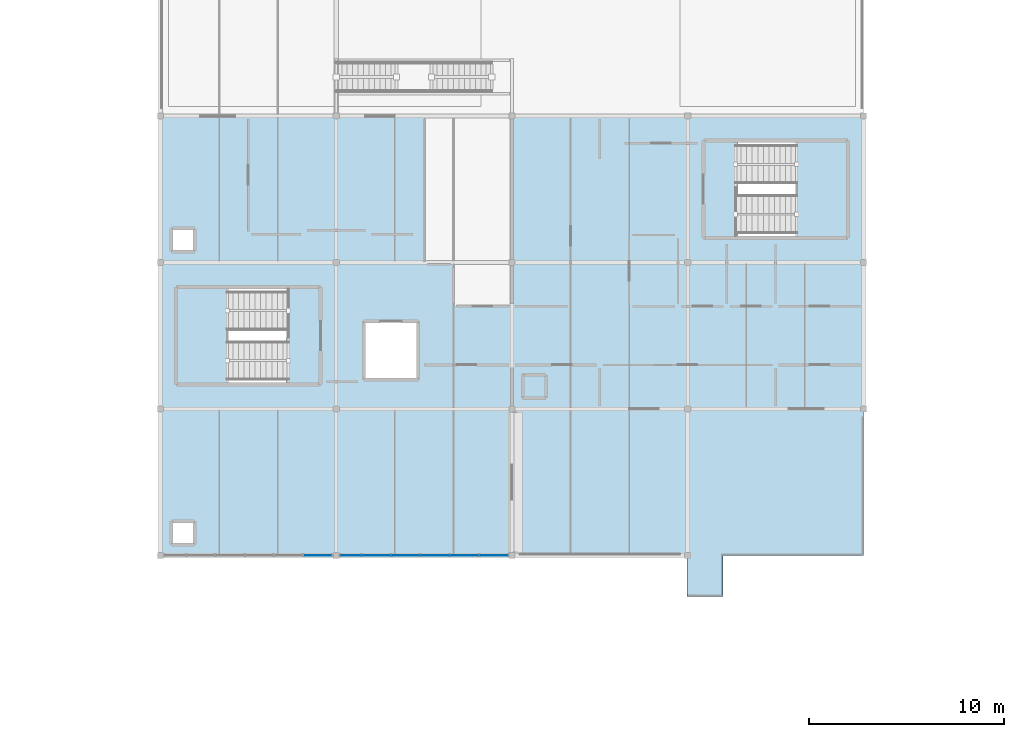
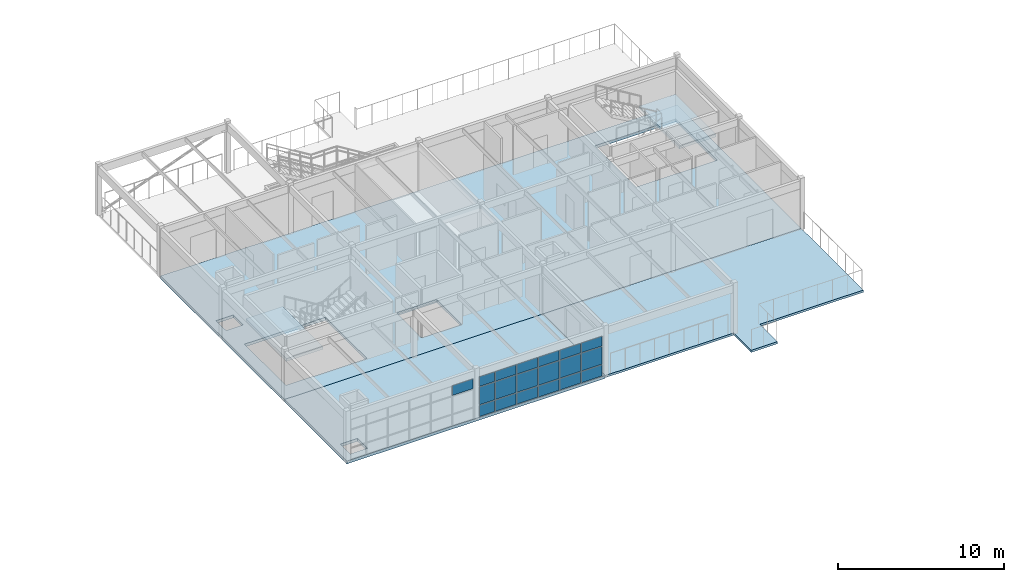
# One storey, part 14 of 24: 19 plates, 5 slabs, 4 elements without a shape of their own.
"""IFC4 building model written with IfcOpenShell, lengths in metres."""

from ifc_helpers import new_model, si_unit, direction, frame, origin, origin_2d, place, context, subcontext, project, spatial, polyline, rectangle, outline, extrude, material, layer, layer_set, type_object, element, aggregate, save


model = new_model("IFC4")

# Units and contexts
model_context = context("Model", 3, precision=1e-05, world=origin(), true_north=direction((0.0, 1.0)))
body_context = subcontext(model_context, "Body", "Model", "MODEL_VIEW")
ifc_project = project(units=[si_unit("LENGTHUNIT", "METRE"), si_unit("AREAUNIT", "SQUARE_METRE"), si_unit("VOLUMEUNIT", "CUBIC_METRE"), si_unit("PLANEANGLEUNIT", "RADIAN"), si_unit("MASSUNIT", "GRAM", prefix="KILO")], contexts=[model_context])

# Site, building, storey
site_placement = place(None, origin())
site = spatial("IfcSite", under=ifc_project, at=site_placement, CompositionType="ELEMENT")
building_placement = place(site_placement, origin())
building = spatial("IfcBuilding", under=site, at=building_placement, Name="Marnridge Secondary College", CompositionType="ELEMENT")
storey_placement = place(building_placement, frame((0.0, 0.0, 16.10009765625)))
storey = spatial("IfcBuildingStorey", under=building, at=storey_placement, Name="L04", CompositionType="ELEMENT", Elevation=16.10009765625)

# Curtain wall, plates
ifc_material_1 = material(Name="Thermally broken aluminium and low-E glazing", Category="aluminium")
ifc_layer_1 = layer(ifc_material_1, 0.159912109375)
ifc_layer_set_1 = layer_set([ifc_layer_1], Name="CW-MOD-1500")
curtain_wall_type = type_object("IfcCurtainWallType", Name="CW-MOD-1500", PredefinedType="NOTDEFINED", material=ifc_layer_set_1)
curtain_wall_1_placement = place(storey_placement, origin())
curtain_wall_1 = element("IfcCurtainWall", 1, at=curtain_wall_1_placement, inside=storey, type_object=curtain_wall_type, Name="Unitised curtain wall CW-L04-138", PredefinedType="NOTDEFINED")
ifc_material_2 = material(Name="Double-glazed low-E argon unit", Category="glass")
ifc_layer_2 = layer(ifc_material_2, 0.028076171875)
ifc_layer_set_2 = layer_set([ifc_layer_2], Name="CWP-GLZ28")
plate_type = type_object("IfcPlateType", Name="CWP-GLZ28", PredefinedType="CURTAIN_PANEL", material=ifc_layer_set_2)
plate_1_placement = place(storey_placement, frame((71.05859375, 45.0, 0.059814453125), z_axis=(0.0, 0.0, 1.0), x_axis=(-1.0, 0.0, 0.0)))
plate_1 = element("IfcPlate", 2, at=plate_1_placement, type_object=plate_type, Name="CW-L04-138 panel 1.1", PredefinedType="CURTAIN_PANEL", context=body_context, shape_type="SweptSolid", body=[
    extrude(rectangle(XDim=1.43994140625, YDim=0.028076171875, at=origin_2d()), origin(), (0.0, 0.0, 1.0), 0.81005859375),
])
plate_2_placement = place(storey_placement, frame((71.05859375, 45.0, 0.929931640625), z_axis=(0.0, 0.0, 1.0), x_axis=(-1.0, 0.0, 0.0)))
plate_2 = element("IfcPlate", 3, at=plate_2_placement, type_object=plate_type, Name="CW-L04-138 panel 1.2", PredefinedType="CURTAIN_PANEL", context=body_context, shape_type="SweptSolid", body=[
    extrude(rectangle(XDim=1.43994140625, YDim=0.028076171875, at=origin_2d()), origin(), (0.0, 0.0, 1.0), 1.2900390625),
])
plate_3_placement = place(storey_placement, frame((71.05859375, 45.0, 2.27978515625), z_axis=(0.0, 0.0, 1.0), x_axis=(-1.0, 0.0, 0.0)))
plate_3 = element("IfcPlate", 4, at=plate_3_placement, type_object=plate_type, Name="CW-L04-138 panel 1.3", PredefinedType="CURTAIN_PANEL", context=body_context, shape_type="SweptSolid", body=[
    extrude(rectangle(XDim=1.43994140625, YDim=0.028076171875, at=origin_2d()), origin(), (0.0, 0.0, 1.0), 0.70703125),
])
plate_4_placement = place(storey_placement, frame((69.55859375, 45.0, 0.059814453125), z_axis=(0.0, 0.0, 1.0), x_axis=(-1.0, 0.0, 0.0)))
plate_4 = element("IfcPlate", 5, at=plate_4_placement, type_object=plate_type, Name="CW-L04-138 panel 2.1", PredefinedType="CURTAIN_PANEL", context=body_context, shape_type="SweptSolid", body=[
    extrude(rectangle(XDim=1.43994140625, YDim=0.028076171875, at=origin_2d()), origin(), (0.0, 0.0, 1.0), 0.81005859375),
])
plate_5_placement = place(storey_placement, frame((69.55859375, 45.0, 0.929931640625), z_axis=(0.0, 0.0, 1.0), x_axis=(-1.0, 0.0, 0.0)))
plate_5 = element("IfcPlate", 6, at=plate_5_placement, type_object=plate_type, Name="CW-L04-138 panel 2.2", PredefinedType="CURTAIN_PANEL", context=body_context, shape_type="SweptSolid", body=[
    extrude(rectangle(XDim=1.43994140625, YDim=0.028076171875, at=origin_2d()), origin(), (0.0, 0.0, 1.0), 1.2900390625),
])
plate_6_placement = place(storey_placement, frame((69.55859375, 45.0, 2.27978515625), z_axis=(0.0, 0.0, 1.0), x_axis=(-1.0, 0.0, 0.0)))
plate_6 = element("IfcPlate", 7, at=plate_6_placement, type_object=plate_type, Name="CW-L04-138 panel 2.3", PredefinedType="CURTAIN_PANEL", context=body_context, shape_type="SweptSolid", body=[
    extrude(rectangle(XDim=1.43994140625, YDim=0.028076171875, at=origin_2d()), origin(), (0.0, 0.0, 1.0), 0.70703125),
])
plate_7_placement = place(storey_placement, frame((68.05859375, 45.0, 0.059814453125), z_axis=(0.0, 0.0, 1.0), x_axis=(-1.0, 0.0, 0.0)))
plate_7 = element("IfcPlate", 8, at=plate_7_placement, type_object=plate_type, Name="CW-L04-138 panel 3.1", PredefinedType="CURTAIN_PANEL", context=body_context, shape_type="SweptSolid", body=[
    extrude(rectangle(XDim=1.43994140625, YDim=0.028076171875, at=origin_2d()), origin(), (0.0, 0.0, 1.0), 0.81005859375),
])
plate_8_placement = place(storey_placement, frame((68.05859375, 45.0, 0.929931640625), z_axis=(0.0, 0.0, 1.0), x_axis=(-1.0, 0.0, 0.0)))
plate_8 = element("IfcPlate", 9, at=plate_8_placement, type_object=plate_type, Name="CW-L04-138 panel 3.2", PredefinedType="CURTAIN_PANEL", context=body_context, shape_type="SweptSolid", body=[
    extrude(rectangle(XDim=1.43994140625, YDim=0.028076171875, at=origin_2d()), origin(), (0.0, 0.0, 1.0), 1.2900390625),
])
plate_9_placement = place(storey_placement, frame((68.05859375, 45.0, 2.27978515625), z_axis=(0.0, 0.0, 1.0), x_axis=(-1.0, 0.0, 0.0)))
plate_9 = element("IfcPlate", 10, at=plate_9_placement, type_object=plate_type, Name="CW-L04-138 panel 3.3", PredefinedType="CURTAIN_PANEL", context=body_context, shape_type="SweptSolid", body=[
    extrude(rectangle(XDim=1.43994140625, YDim=0.028076171875, at=origin_2d()), origin(), (0.0, 0.0, 1.0), 0.70703125),
])
plate_10_placement = place(storey_placement, frame((66.55859375, 45.0, 0.059814453125), z_axis=(0.0, 0.0, 1.0), x_axis=(-1.0, 0.0, 0.0)))
plate_10 = element("IfcPlate", 11, at=plate_10_placement, type_object=plate_type, Name="CW-L04-138 panel 4.1", PredefinedType="CURTAIN_PANEL", context=body_context, shape_type="SweptSolid", body=[
    extrude(rectangle(XDim=1.43994140625, YDim=0.028076171875, at=origin_2d()), origin(), (0.0, 0.0, 1.0), 0.81005859375),
])
plate_11_placement = place(storey_placement, frame((66.55859375, 45.0, 0.929931640625), z_axis=(0.0, 0.0, 1.0), x_axis=(-1.0, 0.0, 0.0)))
plate_11 = element("IfcPlate", 12, at=plate_11_placement, type_object=plate_type, Name="CW-L04-138 panel 4.2", PredefinedType="CURTAIN_PANEL", context=body_context, shape_type="SweptSolid", body=[
    extrude(rectangle(XDim=1.43994140625, YDim=0.028076171875, at=origin_2d()), origin(), (0.0, 0.0, 1.0), 1.2900390625),
])
plate_12_placement = place(storey_placement, frame((66.55859375, 45.0, 2.27978515625), z_axis=(0.0, 0.0, 1.0), x_axis=(-1.0, 0.0, 0.0)))
plate_12 = element("IfcPlate", 13, at=plate_12_placement, type_object=plate_type, Name="CW-L04-138 panel 4.3", PredefinedType="CURTAIN_PANEL", context=body_context, shape_type="SweptSolid", body=[
    extrude(rectangle(XDim=1.43994140625, YDim=0.028076171875, at=origin_2d()), origin(), (0.0, 0.0, 1.0), 0.70703125),
])
plate_13_placement = place(storey_placement, frame((65.05859375, 45.0, 0.059814453125), z_axis=(0.0, 0.0, 1.0), x_axis=(-1.0, 0.0, 0.0)))
plate_13 = element("IfcPlate", 14, at=plate_13_placement, type_object=plate_type, Name="CW-L04-138 panel 5.1", PredefinedType="CURTAIN_PANEL", context=body_context, shape_type="SweptSolid", body=[
    extrude(rectangle(XDim=1.43994140625, YDim=0.028076171875, at=origin_2d()), origin(), (0.0, 0.0, 1.0), 0.81005859375),
])
plate_14_placement = place(storey_placement, frame((65.05859375, 45.0, 0.929931640625), z_axis=(0.0, 0.0, 1.0), x_axis=(-1.0, 0.0, 0.0)))
plate_14 = element("IfcPlate", 15, at=plate_14_placement, type_object=plate_type, Name="CW-L04-138 panel 5.2", PredefinedType="CURTAIN_PANEL", context=body_context, shape_type="SweptSolid", body=[
    extrude(rectangle(XDim=1.43994140625, YDim=0.028076171875, at=origin_2d()), origin(), (0.0, 0.0, 1.0), 1.2900390625),
])
plate_15_placement = place(storey_placement, frame((65.05859375, 45.0, 2.27978515625), z_axis=(0.0, 0.0, 1.0), x_axis=(-1.0, 0.0, 0.0)))
plate_15 = element("IfcPlate", 16, at=plate_15_placement, type_object=plate_type, Name="CW-L04-138 panel 5.3", PredefinedType="CURTAIN_PANEL", context=body_context, shape_type="SweptSolid", body=[
    extrude(rectangle(XDim=1.43994140625, YDim=0.028076171875, at=origin_2d()), origin(), (0.0, 0.0, 1.0), 0.70703125),
])
plate_16_placement = place(storey_placement, frame((63.75, 45.0, 0.059814453125), z_axis=(0.0, 0.0, 1.0), x_axis=(-1.0, 0.0, 0.0)))
plate_16 = element("IfcPlate", 17, at=plate_16_placement, type_object=plate_type, Name="CW-L04-138 panel 6.1", PredefinedType="CURTAIN_PANEL", context=body_context, shape_type="SweptSolid", body=[
    extrude(rectangle(XDim=1.056884765625, YDim=0.028076171875, at=origin_2d()), origin(), (0.0, 0.0, 1.0), 0.81005859375),
])
plate_17_placement = place(storey_placement, frame((63.75, 45.0, 0.929931640625), z_axis=(0.0, 0.0, 1.0), x_axis=(-1.0, 0.0, 0.0)))
plate_17 = element("IfcPlate", 18, at=plate_17_placement, type_object=plate_type, Name="CW-L04-138 panel 6.2", PredefinedType="CURTAIN_PANEL", context=body_context, shape_type="SweptSolid", body=[
    extrude(rectangle(XDim=1.056884765625, YDim=0.028076171875, at=origin_2d()), origin(), (0.0, 0.0, 1.0), 1.2900390625),
])
plate_18_placement = place(storey_placement, frame((63.75, 45.0, 2.27978515625), z_axis=(0.0, 0.0, 1.0), x_axis=(-1.0, 0.0, 0.0)))
plate_18 = element("IfcPlate", 19, at=plate_18_placement, type_object=plate_type, Name="CW-L04-138 panel 6.3", PredefinedType="CURTAIN_PANEL", context=body_context, shape_type="SweptSolid", body=[
    extrude(rectangle(XDim=1.056884765625, YDim=0.028076171875, at=origin_2d()), origin(), (0.0, 0.0, 1.0), 0.70703125),
])
aggregate(curtain_wall_1, [plate_1, plate_2, plate_3, plate_4, plate_5, plate_6, plate_7, plate_8, plate_9, plate_10, plate_11, plate_12, plate_13, plate_14, plate_15, plate_16, plate_17, plate_18])

# Curtain wall, plate
curtain_wall_2_placement = place(storey_placement, origin())
curtain_wall_2 = element("IfcCurtainWall", 20, at=curtain_wall_2_placement, inside=storey, type_object=curtain_wall_type, Name="Unitised curtain wall CW-L04-139", PredefinedType="NOTDEFINED")
plate_19_placement = place(storey_placement, frame((62.05859375, 45.0, 2.27978515625), z_axis=(0.0, 0.0, 1.0), x_axis=(-1.0, 0.0, 0.0)))
plate_19 = element("IfcPlate", 21, at=plate_19_placement, type_object=plate_type, Name="CW-L04-139 panel 1.3", PredefinedType="CURTAIN_PANEL", context=body_context, shape_type="SweptSolid", body=[
    extrude(rectangle(XDim=1.43994140625, YDim=0.028076171875, at=origin_2d()), origin(), (0.0, 0.0, 1.0), 0.70703125),
])
aggregate(curtain_wall_2, [plate_19])

# Slabs
ifc_material_3 = material(Name="Cross-laminated timber CL5", Category="wood")
ifc_layer_3 = layer(ifc_material_3, 0.2099609375)
ifc_layer_set_3 = layer_set([ifc_layer_3], Name="SL-CLT-210")
slab_type_1 = type_object("IfcSlabType", Name="SL-CLT-210", PredefinedType="FLOOR", material=ifc_layer_set_3)
slab_1_placement = place(storey_placement, frame((0.0, 0.0, -0.210205078125)))
element("IfcSlab", 22, at=slab_1_placement, inside=storey, type_object=slab_type_1, Name="Floor slab SL-L04-047", PredefinedType="FLOOR", context=body_context, shape_type="SweptSolid", body=[
    extrude(outline(polyline([(54.0, 45.0), (54.0, 52.5), (72.0, 52.5), (72.0, 45.0), (54.0, 45.0)]), holes=[polyline([(54.550048828125, 45.550048828125), (55.75, 45.550048828125), (55.75, 46.75), (54.550048828125, 46.75), (54.550048828125, 45.550048828125)])]), origin(), (0.0, 0.0, 1.0), 0.210205078125),
])
slab_2_placement = place(storey_placement, frame((0.0, 0.0, -0.210205078125)))
element("IfcSlab", 23, at=slab_2_placement, inside=storey, type_object=slab_type_1, Name="Floor slab SL-L04-048", PredefinedType="FLOOR", context=body_context, shape_type="SweptSolid", body=[
    extrude(outline(polyline([(90.0, 52.5), (54.0, 52.5), (54.0, 67.5), (90.0, 67.5), (90.0, 52.5)]), holes=[polyline([(54.800048828125, 53.75), (60.449951171875, 53.75), (60.449951171875, 58.75), (54.800048828125, 58.75), (54.800048828125, 53.75)]), polyline([(83.550048828125, 61.25), (89.199951171875, 61.25), (89.199951171875, 66.25), (83.550048828125, 66.25), (83.550048828125, 61.25)]), polyline([(64.39990234375, 54.0), (67.199951171875, 54.0), (67.199951171875, 57.0), (64.39990234375, 57.0), (64.39990234375, 54.0)]), polyline([(54.550048828125, 60.550048828125), (55.75, 60.550048828125), (55.75, 61.75), (54.550048828125, 61.75), (54.550048828125, 60.550048828125)])]), origin(), (0.0, 0.0, 1.0), 0.210205078125),
])
ifc_material_4 = material(Name="Cross-laminated timber CL5", Category="wood")
ifc_layer_4 = layer(ifc_material_4, 0.159912109375)
ifc_layer_set_4 = layer_set([ifc_layer_4], Name="SL-DECK-160")
slab_type_2 = type_object("IfcSlabType", Name="SL-DECK-160", PredefinedType="ROOF", material=ifc_layer_set_4)
slab_3_placement = place(storey_placement, frame((0.0, 0.0, -0.16015625)))
element("IfcSlab", 24, at=slab_3_placement, inside=storey, type_object=slab_type_2, Name="External deck slab SL-L04-062", PredefinedType="ROOF", context=body_context, shape_type="SweptSolid", body=[
    extrude(outline(polyline([(72.0, 45.0), (80.9599609375, 45.0), (80.9599609375, 42.89990234375), (82.800048828125, 42.89990234375), (82.800048828125, 45.0), (90.0, 45.0), (90.0, 52.5), (72.0, 52.5), (72.0, 45.0)])), origin(), (0.0, 0.0, 1.0), 0.16015625),
])

# Stair, slab
ifc_material_5 = material(Name="Concrete C40/50 (AS 3600 N40, 40 MPa)", Category="concrete")
stair_type = type_object("IfcStairType", Name="STC1", PredefinedType="HALF_TURN_STAIR", material=ifc_material_5)
stair_1_placement = place(storey_placement, origin())
stair_1 = element("IfcStair", 25, at=stair_1_placement, inside=storey, type_object=stair_type, Name="Fire-isolated stair ST-01-L04", PredefinedType="HALF_TURN_STAIR")
ifc_material_6 = material(Name="Concrete C40/50 (AS 3600 N40, 40 MPa)", Category="concrete")
ifc_layer_5 = layer(ifc_material_6, 0.199951171875)
ifc_layer_set_5 = layer_set([ifc_layer_5], Name="SL-LAND-200")
slab_type_3 = type_object("IfcSlabType", Name="SL-LAND-200", PredefinedType="LANDING", material=ifc_layer_set_5)
slab_4_placement = place(storey_placement, frame((0.0, 0.0, 1.699951171875)))
slab_4 = element("IfcSlab", 26, at=slab_4_placement, type_object=slab_type_3, Name="ST-01-L04 landing 1", PredefinedType="LANDING", context=body_context, shape_type="SweptSolid", body=[
    extrude(outline(polyline([(54.860107421875, 53.81005859375), (57.4150390625, 53.81005859375), (57.4150390625, 58.68994140625), (54.860107421875, 58.68994140625), (54.860107421875, 53.81005859375)])), origin(), (0.0, 0.0, 1.0), 0.199951171875),
])
aggregate(stair_1, [slab_4])

stair_2_placement = place(storey_placement, origin())
stair_2 = element("IfcStair", 27, at=stair_2_placement, inside=storey, type_object=stair_type, Name="Fire-isolated stair ST-02-L04", PredefinedType="HALF_TURN_STAIR")
slab_5_placement = place(storey_placement, frame((0.0, 0.0, 1.699951171875)))
slab_5 = element("IfcSlab", 28, at=slab_5_placement, type_object=slab_type_3, Name="ST-02-L04 landing 1", PredefinedType="LANDING", context=body_context, shape_type="SweptSolid", body=[
    extrude(outline(polyline([(86.5849609375, 61.31005859375), (89.139892578125, 61.31005859375), (89.139892578125, 66.18994140625), (86.5849609375, 66.18994140625), (86.5849609375, 61.31005859375)])), origin(), (0.0, 0.0, 1.0), 0.199951171875),
])
aggregate(stair_2, [slab_5])

save(model, "model.ifc")
